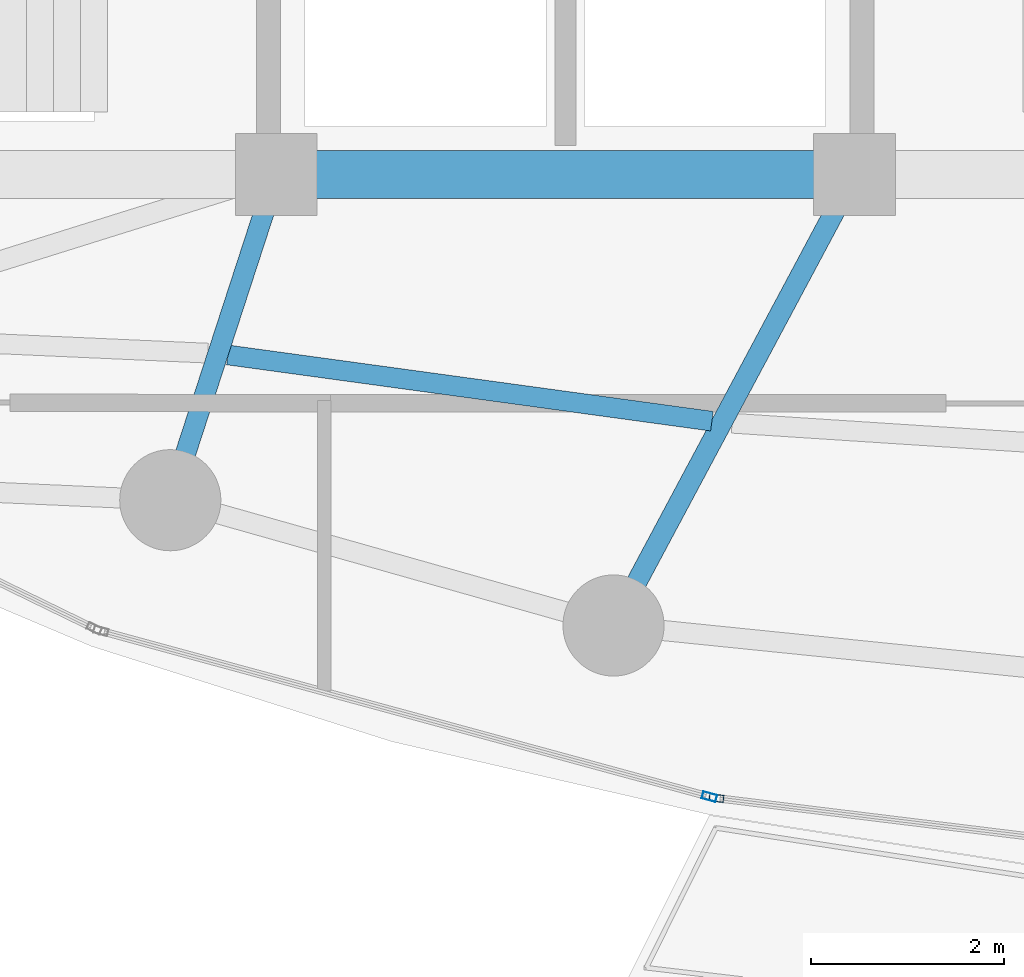
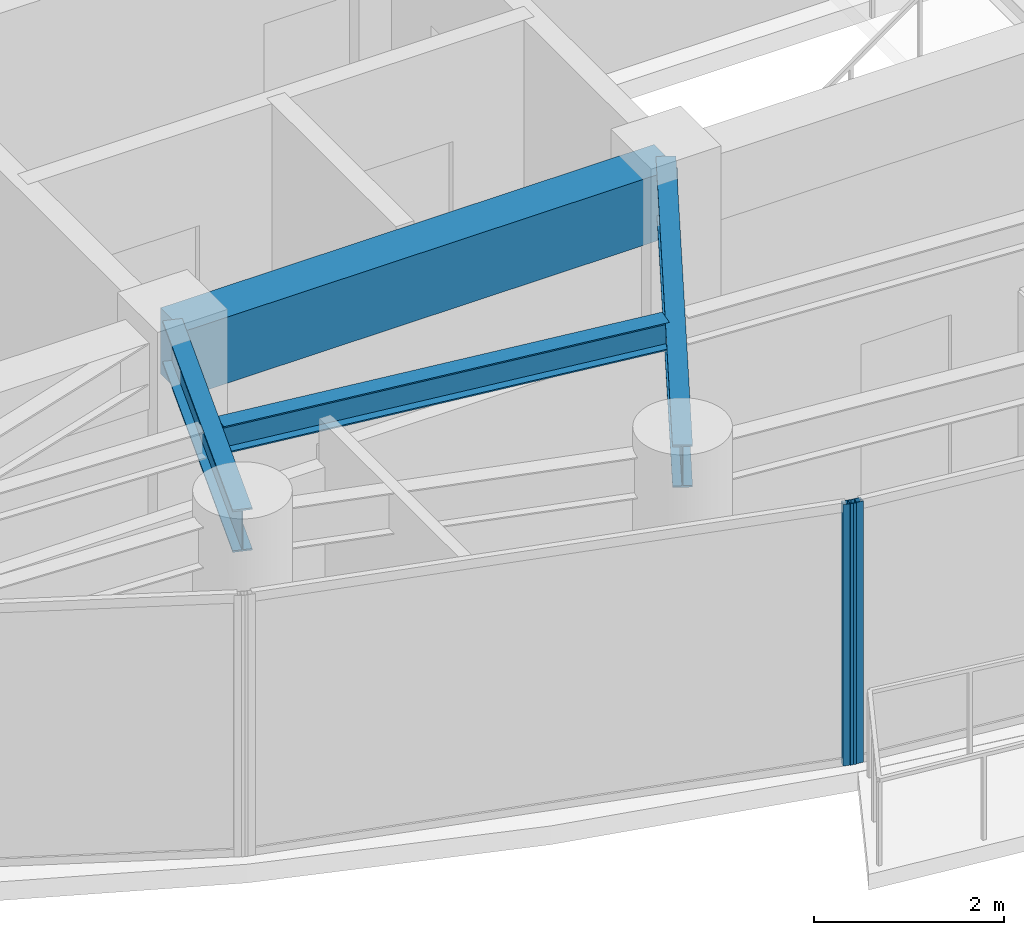
# One storey, part 5 of 31: 4 beams, 2 members, 2 elements without a shape of their own.
"""IFC4 building model written with IfcOpenShell, lengths in metres."""

import ifcopenshell
import ifcopenshell.guid

model = None  # the IFC model being written
_history = None  # IfcOwnerHistory: only IFC2X3 demands one
_inside = {}  # id of a spatial element -> (the spatial element, [elements in it])
_under = {}  # id of a project, library or spatial element -> (it, [spatial elements below it])
_declared = {}  # id of a project -> (the project, [libraries it declares])
_typed = {}  # id of a type object -> (the type object, [elements of that type])
_made_of = {}  # id of a material, layer set ... -> (it, [elements and type objects made of it])


def new_model(schema):
    """Start an empty IFC model of exactly this schema.

    Asked for "IFC4X3", IfcOpenShell would pick the latest addendum, in which some entities
    have other attributes; the version numbers below select the first issue.
    IFC2X3 requires an IfcOwnerHistory on every rooted entity: one is made here for all.
    """
    global model, _history
    if schema == "IFC4X3":
        model = ifcopenshell.file(schema_version=(4, 3, 0, 0))
    else:
        model = ifcopenshell.file(schema=schema)
    _inside.clear()
    _under.clear()
    _declared.clear()
    _typed.clear()
    _made_of.clear()
    _history = None
    if model.schema == "IFC2X3":
        org = make("IfcOrganization", Name="unknown")
        user = make(
            "IfcPersonAndOrganization",
            ThePerson=make("IfcPerson", FamilyName="unknown"),
            TheOrganization=org,
        )
        app = make(
            "IfcApplication",
            ApplicationDeveloper=org,
            Version="unknown",
            ApplicationFullName="unknown",
            ApplicationIdentifier="unknown",
        )
        _history = make(
            "IfcOwnerHistory",
            OwningUser=user,
            OwningApplication=app,
            ChangeAction="ADDED",
            CreationDate=0,
        )
    return model


def make(cls, **values):
    """One entity of the class cls with the attributes given. An attribute that is None is left unset."""
    return model.create_entity(
        cls, **{name: value for name, value in values.items() if value is not None}
    )


def rooted(cls, **values):
    """An entity with a GlobalId (a new one), such as an element, a storey or a relation."""
    return make(cls, GlobalId=ifcopenshell.guid.new(), OwnerHistory=_history, **values)


def si_unit(unit_type, name, prefix=None):
    """IfcSIUnit, for example si_unit("LENGTHUNIT", "METRE", prefix="MILLI")."""
    return make("IfcSIUnit", UnitType=unit_type, Prefix=prefix, Name=name)


def assignment(units):
    """IfcUnitAssignment: the units of a project."""
    return None if units is None else make("IfcUnitAssignment", Units=units)


def point(xyz):
    """IfcCartesianPoint."""
    return None if xyz is None else make("IfcCartesianPoint", Coordinates=xyz)


def direction(xyz):
    """IfcDirection."""
    return None if xyz is None else make("IfcDirection", DirectionRatios=xyz)


def frame(location, z_axis=None, x_axis=None):
    """IfcAxis2Placement3D, a coordinate frame: its origin and axes. An axis left out is left unset."""
    return make(
        "IfcAxis2Placement3D",
        Location=point(location),
        Axis=direction(z_axis),
        RefDirection=direction(x_axis),
    )


def frame_2d(location, x_axis=None):
    """IfcAxis2Placement2D, a coordinate frame in the plane: its origin and x axis."""
    return make(
        "IfcAxis2Placement2D", Location=point(location), RefDirection=direction(x_axis)
    )


def origin():
    """The frame at (0, 0, 0) with its axes left unset."""
    return frame((0.0, 0.0, 0.0))


def origin_2d():
    """The frame at (0, 0) in the plane with its x axis left unset."""
    return frame_2d((0.0, 0.0))


def place(relative_to, where):
    """IfcLocalPlacement: puts the frame where relative to a parent placement (None: the world)."""
    return make(
        "IfcLocalPlacement", PlacementRelTo=relative_to, RelativePlacement=where
    )


def context(
    kind, dimensions, precision=None, world=None, true_north=None, identifier=None
):
    """IfcGeometricRepresentationContext, for example the 3D "Model" context."""
    return make(
        "IfcGeometricRepresentationContext",
        ContextIdentifier=identifier,
        ContextType=kind,
        CoordinateSpaceDimension=dimensions,
        Precision=precision,
        WorldCoordinateSystem=world,
        TrueNorth=true_north,
    )


def subcontext(parent, identifier, kind, view, scale=None):
    """IfcGeometricRepresentationSubContext, for example "Body" below "Model"."""
    return make(
        "IfcGeometricRepresentationSubContext",
        ContextIdentifier=identifier,
        ContextType=kind,
        ParentContext=parent,
        TargetScale=scale,
        TargetView=view,
    )


def project(units=None, contexts=None):
    """IfcProject with its units and contexts."""
    return rooted(
        "IfcProject",
        Name="project",
        RepresentationContexts=contexts,
        UnitsInContext=assignment(units),
    )


def spatial(cls, under=None, at=None, **own):
    """A site, building, storey or space (cls), placed at a placement, below another one or the project."""
    s = rooted(cls, ObjectPlacement=at, **own)
    if under is not None:
        _under.setdefault(under.id(), (under, []))[1].append(s)
    return s


def profile(cls, at=None, kind="AREA", **sizes):
    """A parametric profile (cls). Its sizes go by their IFC names, for example OverallWidth=200.0."""
    return make(cls, ProfileType=kind, Position=at, **sizes)


def rectangle(**sizes):
    """IfcRectangleProfileDef."""
    return profile("IfcRectangleProfileDef", **sizes)


def hollow_rectangle(**sizes):
    """IfcRectangleHollowProfileDef."""
    return profile("IfcRectangleHollowProfileDef", **sizes)


def i_section(**sizes):
    """IfcIShapeProfileDef."""
    return profile("IfcIShapeProfileDef", **sizes)


def extrude(swept, where, along, depth):
    """IfcExtrudedAreaSolid: the profile swept, set in the frame where, extruded along a direction by depth."""
    return make(
        "IfcExtrudedAreaSolid",
        SweptArea=swept,
        Position=where,
        ExtrudedDirection=direction(along),
        Depth=depth,
    )


def shape(context_of_items, identifier, shape_type, items):
    """IfcShapeRepresentation: the items that make up one representation, for example the "Body"."""
    return make(
        "IfcShapeRepresentation",
        ContextOfItems=context_of_items,
        RepresentationIdentifier=identifier,
        RepresentationType=shape_type,
        Items=items,
    )


def material(Name=None, Category=None):
    """IfcMaterial."""
    return make("IfcMaterial", Name=Name, Category=Category)


def layer(
    of_material, thickness, ventilated=None, Name=None, Category=None, Priority=None
):
    """IfcMaterialLayer: one layer of a wall or slab, of a material (None: an air gap)."""
    return make(
        "IfcMaterialLayer",
        Material=of_material,
        LayerThickness=thickness,
        IsVentilated=ventilated,
        Name=Name,
        Category=Category,
        Priority=Priority,
    )


def layer_set(layers, Name=None):
    """IfcMaterialLayerSet."""
    return make("IfcMaterialLayerSet", MaterialLayers=layers, LayerSetName=Name)


def material_profile(
    of_material, cross_section, Name=None, Category=None, Priority=None
):
    """IfcMaterialProfile: a cross section and its material."""
    return make(
        "IfcMaterialProfile",
        Name=Name,
        Material=of_material,
        Profile=cross_section,
        Priority=Priority,
        Category=Category,
    )


def profile_set(profiles, Name=None, composite=None):
    """IfcMaterialProfileSet."""
    return make(
        "IfcMaterialProfileSet",
        Name=Name,
        MaterialProfiles=profiles,
        CompositeProfile=composite,
    )


def made_of(thing, what):
    """Note that an element or type object is made of a material, layer set ...; save() writes the relation."""
    if what is not None:
        _made_of.setdefault(what.id(), (what, []))[1].append(thing)
    return thing


def type_object(cls, material=None, **own):
    """A type object (cls), such as IfcWallType, which elements share."""
    return made_of(rooted(cls, **own), material)


def element(
    cls,
    number,
    at=None,
    inside=None,
    cuts=None,
    type_object=None,
    material=None,
    context=None,
    identifier="Body",
    shape_type=None,
    held_by="IfcProductDefinitionShape",
    body=None,
    shapes=None,
    **own,
):
    """One element of the class cls, such as IfcWall. Its Tag is "e" and its number.

    at: its placement. inside: the storey or other place that contains it. cuts: it is an
    opening in that element (IfcRelVoidsElement). A single representation is given by context,
    identifier, shape_type and body (its items); several are given by shapes. held_by: the class
    of the entity that holds the representations. save() writes the other relations.
    """
    e = rooted(cls, Tag="e%d" % number, ObjectPlacement=at, **own)
    if body is not None:
        shapes = [shape(context, identifier, shape_type, body)]
    if shapes is not None:
        e.Representation = make(held_by, Representations=shapes)
    if inside is not None:
        _inside.setdefault(inside.id(), (inside, []))[1].append(e)
    if cuts is not None:
        rooted(
            "IfcRelVoidsElement", RelatingBuildingElement=cuts, RelatedOpeningElement=e
        )
    if type_object is not None:
        _typed.setdefault(type_object.id(), (type_object, []))[1].append(e)
    return made_of(e, material)


def aggregate(whole, parts):
    """IfcRelAggregates: a whole, such as a stair, and the parts it consists of."""
    return rooted("IfcRelAggregates", RelatingObject=whole, RelatedObjects=parts)


def save(model, path):
    """Write the relations noted so far, then the file.

    IfcRelAggregates (storeys below a building ...), IfcRelContainedInSpatialStructure (elements
    in a storey), IfcRelDefinesByType, IfcRelAssociatesMaterial and IfcRelDeclares: one each for
    every whole, place, type object, material and project.
    """
    for whole, parts in _under.values():
        aggregate(whole, parts)
    for where, things in _inside.values():
        rooted(
            "IfcRelContainedInSpatialStructure",
            RelatedElements=things,
            RelatingStructure=where,
        )
    for kind, things in _typed.values():
        rooted("IfcRelDefinesByType", RelatedObjects=things, RelatingType=kind)
    for what, things in _made_of.values():
        rooted("IfcRelAssociatesMaterial", RelatedObjects=things, RelatingMaterial=what)
    for by, libraries in _declared.values():
        rooted("IfcRelDeclares", RelatingContext=by, RelatedDefinitions=libraries)
    model.write(path)


model = new_model("IFC4")

# Units and contexts
model_context = context("Model", 3, precision=1e-05, world=origin(), true_north=direction((0.0, 1.0)))
body_context = subcontext(model_context, "Body", "Model", "MODEL_VIEW")
ifc_project = project(units=[si_unit("LENGTHUNIT", "METRE"), si_unit("AREAUNIT", "SQUARE_METRE"), si_unit("VOLUMEUNIT", "CUBIC_METRE"), si_unit("PLANEANGLEUNIT", "RADIAN"), si_unit("MASSUNIT", "GRAM", prefix="KILO")], contexts=[model_context])

# Site, building, storey
site_placement = place(None, origin())
site = spatial("IfcSite", under=ifc_project, at=site_placement, CompositionType="ELEMENT")
building_placement = place(site_placement, origin())
building = spatial("IfcBuilding", under=site, at=building_placement, Name="Kazevale Care Tower and Concert Hall", CompositionType="ELEMENT")
storey_placement = place(building_placement, frame((0.0, 0.0, 235.199951171875)))
storey = spatial("IfcBuildingStorey", under=building, at=storey_placement, Name="L62", CompositionType="ELEMENT", Elevation=235.199951171875)

# Curtain wall, member
ifc_material_1 = material(Name="Aluminium 6063-T6 and Low-E Glass", Category="aluminium")
ifc_layer = layer(ifc_material_1, 0.179931640625)
ifc_layer_set = layer_set([ifc_layer], Name="Aluminium 6063-T6 and Low-E Glass")
curtain_wall_type = type_object("IfcCurtainWallType", Name="Sheltered Concave Balcony Curtain Wall CW-5", PredefinedType="NOTDEFINED", material=ifc_layer_set)
curtain_wall_1_placement = place(storey_placement, origin())
curtain_wall_1 = element("IfcCurtainWall", 1, at=curtain_wall_1_placement, inside=storey, type_object=curtain_wall_type, Name="cw:L62:f07", PredefinedType="NOTDEFINED")
ifc_material_2 = material(Name="Aluminium 6063-T6", Category="aluminium")
ifc_material_profile_1 = material_profile(ifc_material_2, hollow_rectangle(XDim=0.074951171875, YDim=0.14990234375, WallThickness=0.00390625, at=origin_2d()), Name="ALU75x150x4")
ifc_profile_set_1 = profile_set([ifc_material_profile_1], Name="Aluminium 6063-T6")
member_type = type_object("IfcMemberType", Name="CW-5 Mullion ALU75x150x4", PredefinedType="MULLION", material=ifc_profile_set_1)
member_1_placement = place(storey_placement, frame((34.568115234375, 17.12841796875, 0.0), z_axis=(0.0, 0.0, 1.0), x_axis=(-0.121650797964, -0.992572961225, 0.0)))
member_1 = element("IfcMember", 2, at=member_1_placement, type_object=member_type, Name="CW-5 mullion 2", PredefinedType="MULLION", context=body_context, shape_type="SweptSolid", body=[
    extrude(hollow_rectangle(XDim=0.074951171875, YDim=0.14990234375, WallThickness=0.00390625, at=origin_2d()), origin(), (0.0, 0.0, 1.0), 3.360107421875),
])
aggregate(curtain_wall_1, [member_1])

curtain_wall_2_placement = place(storey_placement, origin())
curtain_wall_2 = element("IfcCurtainWall", 3, at=curtain_wall_2_placement, inside=storey, type_object=curtain_wall_type, Name="cw:L62:f08", PredefinedType="NOTDEFINED")
member_2_placement = place(storey_placement, frame((34.494873046875, 17.142822265625, 0.0), z_axis=(0.0, 0.0, 1.0), x_axis=(-0.262848968947, -0.964836991167, 0.0)))
member_2 = element("IfcMember", 4, at=member_2_placement, type_object=member_type, Name="CW-5 mullion 1", PredefinedType="MULLION", context=body_context, shape_type="SweptSolid", body=[
    extrude(hollow_rectangle(XDim=0.074951171875, YDim=0.14990234375, WallThickness=0.00390625, at=origin_2d()), origin(), (0.0, 0.0, 1.0), 3.360107421875),
])
aggregate(curtain_wall_2, [member_2])

# Beams
ifc_material_3 = material(Name="Concrete C60", Category="concrete")
ifc_material_profile_2 = material_profile(ifc_material_3, rectangle(XDim=0.5, YDim=0.85009765625, at=origin_2d()), Name="RC-B500x850")
ifc_profile_set_2 = profile_set([ifc_material_profile_2], Name="Concrete C60")
beam_type_1 = type_object("IfcBeamType", Name="Core Coupling Beam RC500x850", PredefinedType="LINTEL", material=ifc_profile_set_2)
beam_1_placement = place(storey_placement, frame((30.0, 23.60009765625, 2.93505859375), z_axis=(1.0, 0.0, 0.0), x_axis=(0.0, 1.0, 0.0)))
element("IfcBeam", 5, at=beam_1_placement, inside=storey, type_object=beam_type_1, Name="beam:L62:coretie:2", PredefinedType="LINTEL", context=body_context, shape_type="SweptSolid", body=[
    extrude(rectangle(XDim=0.5, YDim=0.85009765625, at=origin_2d()), origin(), (0.0, 0.0, 1.0), 6.0),
])
ifc_material_4 = material(Name="Steel ASTM A572 Gr 50", Category="steel")
ifc_material_profile_3 = material_profile(ifc_material_4, i_section(OverallWidth=0.2119140625, OverallDepth=0.5439453125, WebThickness=0.01318359375, FlangeThickness=0.021240234375, at=origin_2d()), Name="W530x123")
ifc_profile_set_3 = profile_set([ifc_material_profile_3], Name="Steel ASTM A572 Gr 50")
beam_type_2 = type_object("IfcBeamType", Name="Radial Floor Girder W530x123", PredefinedType="BEAM", material=ifc_profile_set_3)
beam_2_placement = place(storey_placement, frame((30.0, 23.60009765625, 3.088134765625), z_axis=(-0.309482065101, -0.950905279921, 0.0), x_axis=(0.950905279921, -0.309482065101, 0.0)))
element("IfcBeam", 6, at=beam_2_placement, inside=storey, type_object=beam_type_2, Name="beam:L62:rad:11", PredefinedType="BEAM", context=body_context, shape_type="SweptSolid", body=[
    extrude(i_section(OverallWidth=0.2119140625, OverallDepth=0.5439453125, WebThickness=0.01318359375, FlangeThickness=0.021240234375, at=origin_2d()), origin(), (0.0, 0.0, 1.0), 3.5546875),
])
beam_3_placement = place(storey_placement, frame((36.0, 23.60009765625, 3.088134765625), z_axis=(-0.471161293943, -0.88204707079, 0.0), x_axis=(0.88204707079, -0.471161293943, 0.0)))
element("IfcBeam", 7, at=beam_3_placement, inside=storey, type_object=beam_type_2, Name="beam:L62:rad:12", PredefinedType="BEAM", context=body_context, shape_type="SweptSolid", body=[
    extrude(i_section(OverallWidth=0.2119140625, OverallDepth=0.5439453125, WebThickness=0.01318359375, FlangeThickness=0.021240234375, at=origin_2d()), origin(), (0.0, 0.0, 1.0), 5.30615234375),
])
ifc_material_profile_4 = material_profile(ifc_material_4, i_section(OverallWidth=0.205078125, OverallDepth=0.35400390625, WebThickness=0.009521484375, FlangeThickness=0.016845703125, at=origin_2d()), Name="W360x79")
ifc_profile_set_4 = profile_set([ifc_material_profile_4], Name="Steel ASTM A572 Gr 50")
beam_type_3 = type_object("IfcBeamType", Name="Secondary Floor Joist W360x79", PredefinedType="JOIST", material=ifc_profile_set_4)
beam_4_placement = place(storey_placement, frame((29.4990234375, 21.72705078125, 3.18310546875), z_axis=(0.990772043119, -0.13553877148, 0.0), x_axis=(0.13553877148, 0.990772043119, 0.0)))
element("IfcBeam", 8, at=beam_4_placement, inside=storey, type_object=beam_type_3, Name="beam:L62:joist:11", PredefinedType="JOIST", context=body_context, shape_type="SweptSolid", body=[
    extrude(i_section(OverallWidth=0.205078125, OverallDepth=0.35400390625, WebThickness=0.009521484375, FlangeThickness=0.016845703125, at=origin_2d()), origin(), (0.0, 0.0, 1.0), 5.06884765625),
])

save(model, "model.ifc")
